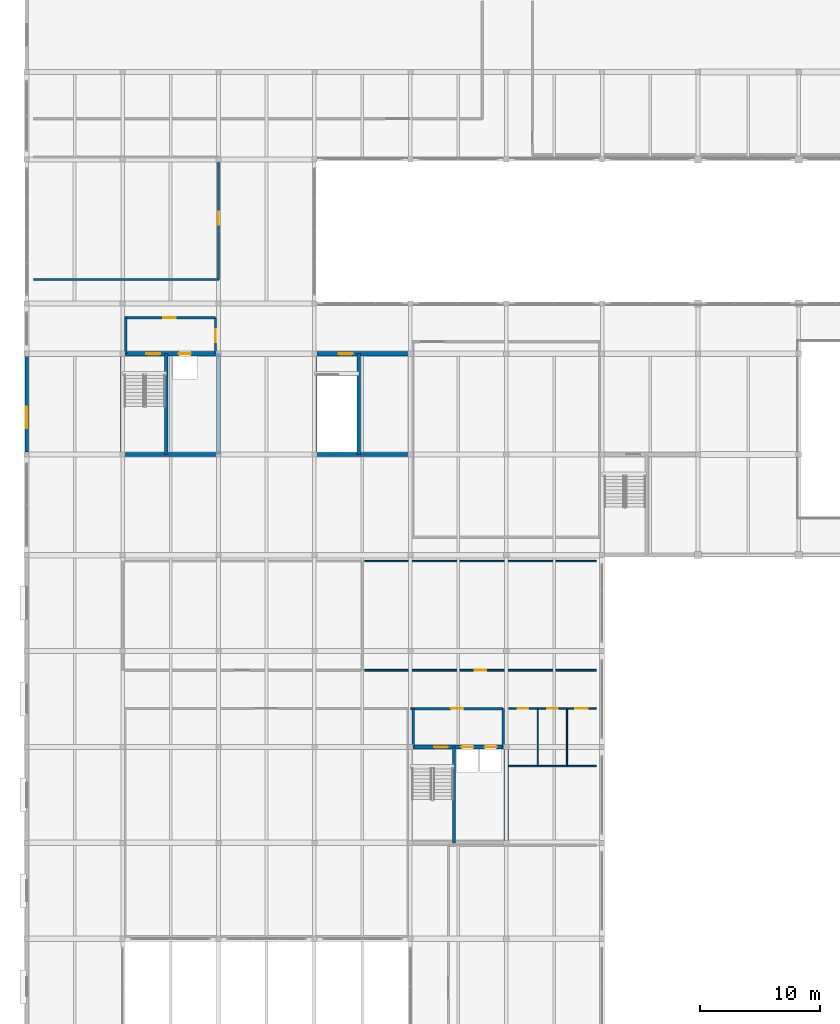
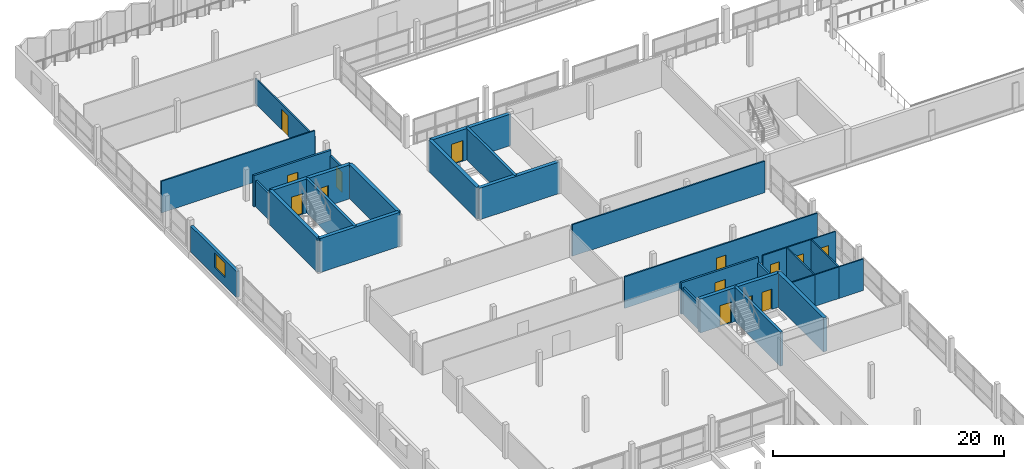
# One storey, part 36 of 51: 31 walls, 14 doors, 1 window, 15 openings.
"""IFC4 building model written with IfcOpenShell, lengths in metres."""

from ifc_helpers import new_model, si_unit, direction, frame, frame_2d, origin, place, context, subcontext, project, spatial, rectangle, extrude, material, layer, layer_set, type_object, element, fill, save


model = new_model("IFC4")

# Units and contexts
model_context = context("Model", 3, precision=1e-05, world=origin(), true_north=direction((0.0, 1.0)))
body_context = subcontext(model_context, "Body", "Model", "MODEL_VIEW")
ifc_project = project(units=[si_unit("LENGTHUNIT", "METRE"), si_unit("AREAUNIT", "SQUARE_METRE"), si_unit("VOLUMEUNIT", "CUBIC_METRE"), si_unit("PLANEANGLEUNIT", "RADIAN"), si_unit("MASSUNIT", "GRAM", prefix="KILO")], contexts=[model_context])

# Site, building, storey
site_placement = place(None, origin())
site = spatial("IfcSite", under=ifc_project, at=site_placement, CompositionType="ELEMENT")
building_placement = place(site_placement, origin())
building = spatial("IfcBuilding", under=site, at=building_placement, Name="Vharandega Faculty of Natural Sciences", CompositionType="ELEMENT")
storey_placement = place(building_placement, frame((0.0, 0.0, 14.39990234375)))
storey = spatial("IfcBuildingStorey", under=building, at=storey_placement, Name="L03", CompositionType="ELEMENT", Elevation=14.39990234375)

# Wall
ifc_material_1 = material(Name="Concrete C40/50", Category="concrete")
ifc_layer_1 = layer(ifc_material_1, 0.35009765625, Name="Concrete C40/50")
ifc_layer_set_1 = layer_set([ifc_layer_1], Name="Concrete C40/50")
wall_type_1 = type_object("IfcWallType", Name="Core Shear Wall 350", PredefinedType="SHEAR", material=ifc_layer_set_1)
wall_1_placement = place(storey_placement, frame((40.0, 40.0, 0.0), z_axis=(0.0, 0.0, 1.0), x_axis=(0.0, 1.0, 0.0)))
element("IfcWall", 1, at=wall_1_placement, inside=storey, type_object=wall_type_1, Name="Interior Wall CW-C3-L03-E", PredefinedType="SHEAR", context=body_context, shape_type="SweptSolid", body=[
    extrude(rectangle(XDim=8.0, YDim=0.35009765625, at=frame_2d((4.0, 0.0))), origin(), (0.0, 0.0, 1.0), 3.60009765625),
])

# Wall, openings, doors
wall_2_placement = place(storey_placement, frame((32.0, 48.0, 0.0), z_axis=(0.0, 0.0, 1.0), x_axis=(1.0, 0.0, 0.0)))
wall_2 = element("IfcWall", 2, at=wall_2_placement, inside=storey, type_object=wall_type_1, Name="Interior Wall CW-C3-L03-N", PredefinedType="SHEAR", context=body_context, shape_type="SweptSolid", body=[
    extrude(rectangle(XDim=8.0, YDim=0.35009765625, at=frame_2d((4.0, 0.0))), origin(), (0.0, 0.0, 1.0), 3.60009765625),
])
opening_1_placement = place(wall_2_placement, frame((1.97998046875, 0.0, 0.0)))
opening_1 = element("IfcOpeningElement", 3, at=opening_1_placement, cuts=wall_2, Name="Opening FD1", PredefinedType="OPENING", context=body_context, shape_type="SweptSolid", body=[
    extrude(rectangle(XDim=1.14990234375, YDim=2.199951171875, at=frame_2d((0.574951171875, 1.10009765625))), frame((0.0, 0.18505859375, 0.0), z_axis=(0.0, -1.0, 0.0), x_axis=(1.0, 0.0, 0.0)), (0.0, 0.0, 1.0), 0.3701171875),
])
opening_2_placement = place(wall_2_placement, frame((4.25, 0.0, 0.0)))
opening_2 = element("IfcOpeningElement", 4, at=opening_2_placement, cuts=wall_2, Name="Opening LD-LP3-L03", PredefinedType="OPENING", context=body_context, shape_type="SweptSolid", body=[
    extrude(rectangle(XDim=1.0, YDim=2.14990234375, at=frame_2d((0.5, 1.074951171875))), frame((0.0, 0.18505859375, 0.0), z_axis=(0.0, -1.0, 0.0), x_axis=(1.0, 0.0, 0.0)), (0.0, 0.0, 1.0), 0.3701171875),
])
opening_3_placement = place(wall_2_placement, frame((6.199951171875, 0.0, 0.0)))
opening_3 = element("IfcOpeningElement", 5, at=opening_3_placement, cuts=wall_2, Name="Opening LD-LP4-L03", PredefinedType="OPENING", context=body_context, shape_type="SweptSolid", body=[
    extrude(rectangle(XDim=1.0, YDim=2.14990234375, at=frame_2d((0.5, 1.074951171875))), frame((0.0, 0.18505859375, 0.0), z_axis=(0.0, -1.0, 0.0), x_axis=(1.0, 0.0, 0.0)), (0.0, 0.0, 1.0), 0.3701171875),
])
ifc_material_2 = material(Name="Solid-core hardwood timber fire door", Category="wood")
door_type_1 = type_object("IfcDoorType", Name="FD1-STAIR-1150x2200", OperationType="NOTDEFINED", PredefinedType="DOOR", material=ifc_material_2)
door_1_placement = place(opening_1_placement, origin())
door_1 = element("IfcDoor", 6, at=door_1_placement, inside=storey, type_object=door_type_1, Name="Stair ST3 Fire Door FD1", OperationType="SINGLE_SWING_LEFT", OverallHeight=2.199951171875, OverallWidth=1.14990234375, PredefinedType="DOOR", context=body_context, shape_type="SweptSolid", body=[
    extrude(rectangle(XDim=1.14990234375, YDim=2.199951171875, at=frame_2d((0.574951171875, 1.10009765625))), frame((0.0, 0.02490234375, 0.0), z_axis=(0.0, -1.0, 0.0), x_axis=(1.0, 0.0, 0.0)), (0.0, 0.0, 1.0), 0.050048828125),
])
fill(opening_1, door_1)
ifc_material_3 = material(Name="Brushed stainless steel sliding landing door", Category="steel")
door_type_2 = type_object("IfcDoorType", Name="LD2-PAXLIFT-SLIDING-1000x2150", OperationType="DOUBLE_DOOR_SLIDING", PredefinedType="DOOR", material=ifc_material_3)
door_2_placement = place(opening_2_placement, origin())
door_2 = element("IfcDoor", 7, at=door_2_placement, inside=storey, type_object=door_type_2, Name="Lift Landing Door LD-LP3-L03", OperationType="DOUBLE_DOOR_SLIDING", OverallHeight=2.14990234375, OverallWidth=1.0, PredefinedType="DOOR", context=body_context, shape_type="SweptSolid", body=[
    extrude(rectangle(XDim=1.0, YDim=2.14990234375, at=frame_2d((0.5, 1.074951171875))), frame((0.0, 0.02490234375, 0.0), z_axis=(0.0, -1.0, 0.0), x_axis=(1.0, 0.0, 0.0)), (0.0, 0.0, 1.0), 0.050048828125),
])
fill(opening_2, door_2)
door_3_placement = place(opening_3_placement, origin())
door_3 = element("IfcDoor", 8, at=door_3_placement, inside=storey, type_object=door_type_2, Name="Lift Landing Door LD-LP4-L03", OperationType="DOUBLE_DOOR_SLIDING", OverallHeight=2.14990234375, OverallWidth=1.0, PredefinedType="DOOR", context=body_context, shape_type="SweptSolid", body=[
    extrude(rectangle(XDim=1.0, YDim=2.14990234375, at=frame_2d((0.5, 1.074951171875))), frame((0.0, 0.02490234375, 0.0), z_axis=(0.0, -1.0, 0.0), x_axis=(1.0, 0.0, 0.0)), (0.0, 0.0, 1.0), 0.050048828125),
])
fill(opening_3, door_3)

# Walls
wall_3_placement = place(storey_placement, frame((8.0, 72.39990234375, 0.0), z_axis=(0.0, 0.0, 1.0), x_axis=(1.0, 0.0, 0.0)))
element("IfcWall", 9, at=wall_3_placement, inside=storey, type_object=wall_type_1, Name="Interior Wall CW-C4-L03-S", PredefinedType="SHEAR", context=body_context, shape_type="SweptSolid", body=[
    extrude(rectangle(XDim=8.0, YDim=0.35009765625, at=frame_2d((4.0, 0.0))), origin(), (0.0, 0.0, 1.0), 3.60009765625),
])
for number, where, z_axis, x_axis, name in (
    (10, (8.0, 72.39990234375, 0.0), (0.0, 0.0, 1.0), (0.0, 1.0, 0.0), "Interior Wall CW-C4-L03-W"),
    (11, (16.0, 72.39990234375, 0.0), (0.0, 0.0, 1.0), (0.0, 1.0, 0.0), "Interior Wall CW-C4-L03-E"),
):
    element("IfcWall", number, at=place(storey_placement, frame(where, z_axis=z_axis, x_axis=x_axis)), inside=storey, type_object=wall_type_1, Name=name, PredefinedType="SHEAR", context=body_context, shape_type="SweptSolid", body=[
        extrude(rectangle(XDim=8.400146484375, YDim=0.35009765625, at=frame_2d((4.2001953125, 0.0))), origin(), (0.0, 0.0, 1.0), 3.60009765625),
    ])

# Wall, openings, doors
wall_4_placement = place(storey_placement, frame((8.0, 80.800048828125, 0.0), z_axis=(0.0, 0.0, 1.0), x_axis=(1.0, 0.0, 0.0)))
wall_4 = element("IfcWall", 12, at=wall_4_placement, inside=storey, type_object=wall_type_1, Name="Interior Wall CW-C4-L03-N", PredefinedType="SHEAR", context=body_context, shape_type="SweptSolid", body=[
    extrude(rectangle(XDim=8.0, YDim=0.35009765625, at=frame_2d((4.0, 0.0))), origin(), (0.0, 0.0, 1.0), 3.60009765625),
])
opening_4_placement = place(wall_4_placement, frame((1.97998046875, 0.0, 0.0)))
opening_4 = element("IfcOpeningElement", 13, at=opening_4_placement, cuts=wall_4, Name="Opening FD1", PredefinedType="OPENING", context=body_context, shape_type="SweptSolid", body=[
    extrude(rectangle(XDim=1.14990234375, YDim=2.199951171875, at=frame_2d((0.574951171875, 1.10009765625))), frame((0.0, 0.18505859375, 0.0), z_axis=(0.0, -1.0, 0.0), x_axis=(1.0, 0.0, 0.0)), (0.0, 0.0, 1.0), 0.3701171875),
])
opening_5_placement = place(wall_4_placement, frame((4.699951171875, 0.0, 0.0)))
opening_5 = element("IfcOpeningElement", 14, at=opening_5_placement, cuts=wall_4, Name="Opening LD-LP2-L03", PredefinedType="OPENING", context=body_context, shape_type="SweptSolid", body=[
    extrude(rectangle(XDim=1.0, YDim=2.14990234375, at=frame_2d((0.5, 1.074951171875))), frame((0.0, 0.18505859375, 0.0), z_axis=(0.0, -1.0, 0.0), x_axis=(1.0, 0.0, 0.0)), (0.0, 0.0, 1.0), 0.3701171875),
])
door_4_placement = place(opening_4_placement, origin())
door_4 = element("IfcDoor", 15, at=door_4_placement, inside=storey, type_object=door_type_1, Name="Stair ST4 Fire Door FD1", OperationType="SINGLE_SWING_LEFT", OverallHeight=2.199951171875, OverallWidth=1.14990234375, PredefinedType="DOOR", context=body_context, shape_type="SweptSolid", body=[
    extrude(rectangle(XDim=1.14990234375, YDim=2.199951171875, at=frame_2d((0.574951171875, 1.10009765625))), frame((0.0, 0.02490234375, 0.0), z_axis=(0.0, -1.0, 0.0), x_axis=(1.0, 0.0, 0.0)), (0.0, 0.0, 1.0), 0.050048828125),
])
fill(opening_4, door_4)
door_5_placement = place(opening_5_placement, origin())
door_5 = element("IfcDoor", 16, at=door_5_placement, inside=storey, type_object=door_type_2, Name="Lift Landing Door LD-LP2-L03", OperationType="DOUBLE_DOOR_SLIDING", OverallHeight=2.14990234375, OverallWidth=1.0, PredefinedType="DOOR", context=body_context, shape_type="SweptSolid", body=[
    extrude(rectangle(XDim=1.0, YDim=2.14990234375, at=frame_2d((0.5, 1.074951171875))), frame((0.0, 0.02490234375, 0.0), z_axis=(0.0, -1.0, 0.0), x_axis=(1.0, 0.0, 0.0)), (0.0, 0.0, 1.0), 0.050048828125),
])
fill(opening_5, door_5)

# Walls
wall_5_placement = place(storey_placement, frame((24.0, 72.39990234375, 0.0), z_axis=(0.0, 0.0, 1.0), x_axis=(1.0, 0.0, 0.0)))
element("IfcWall", 17, at=wall_5_placement, inside=storey, type_object=wall_type_1, Name="Interior Wall CW-C6-L03-S", PredefinedType="SHEAR", context=body_context, shape_type="SweptSolid", body=[
    extrude(rectangle(XDim=8.0, YDim=0.35009765625, at=frame_2d((4.0, 0.0))), origin(), (0.0, 0.0, 1.0), 3.340087890625),
])
wall_6_placement = place(storey_placement, frame((24.0, 72.39990234375, 0.0), z_axis=(0.0, 0.0, 1.0), x_axis=(0.0, 1.0, 0.0)))
element("IfcWall", 18, at=wall_6_placement, inside=storey, type_object=wall_type_1, Name="Interior Wall CW-C6-L03-W", PredefinedType="SHEAR", context=body_context, shape_type="SweptSolid", body=[
    extrude(rectangle(XDim=8.400146484375, YDim=0.35009765625, at=frame_2d((4.2001953125, 0.0))), origin(), (0.0, 0.0, 1.0), 3.340087890625),
])

# Wall, opening, door
wall_7_placement = place(storey_placement, frame((24.0, 80.800048828125, 0.0), z_axis=(0.0, 0.0, 1.0), x_axis=(1.0, 0.0, 0.0)))
wall_7 = element("IfcWall", 19, at=wall_7_placement, inside=storey, type_object=wall_type_1, Name="Interior Wall CW-C6-L03-N", PredefinedType="SHEAR", context=body_context, shape_type="SweptSolid", body=[
    extrude(rectangle(XDim=8.0, YDim=0.35009765625, at=frame_2d((4.0, 0.0))), origin(), (0.0, 0.0, 1.0), 3.340087890625),
])
opening_6_placement = place(wall_7_placement, frame((2.0400390625, 0.0, 0.0)))
opening_6 = element("IfcOpeningElement", 20, at=opening_6_placement, cuts=wall_7, Name="Opening FD1", PredefinedType="OPENING", context=body_context, shape_type="SweptSolid", body=[
    extrude(rectangle(XDim=1.14990234375, YDim=2.199951171875, at=frame_2d((0.574951171875, 1.10009765625))), frame((0.0, 0.18505859375, 0.0), z_axis=(0.0, -1.0, 0.0), x_axis=(1.0, 0.0, 0.0)), (0.0, 0.0, 1.0), 0.3701171875),
])
door_6_placement = place(opening_6_placement, origin())
door_6 = element("IfcDoor", 21, at=door_6_placement, inside=storey, type_object=door_type_1, Name="Stair ST6 Fire Door FD1", OperationType="SINGLE_SWING_LEFT", OverallHeight=2.199951171875, OverallWidth=1.14990234375, PredefinedType="DOOR", context=body_context, shape_type="SweptSolid", body=[
    extrude(rectangle(XDim=1.14990234375, YDim=2.199951171875, at=frame_2d((0.574951171875, 1.10009765625))), frame((0.0, 0.02490234375, 0.0), z_axis=(0.0, -1.0, 0.0), x_axis=(1.0, 0.0, 0.0)), (0.0, 0.0, 1.0), 0.050048828125),
])
fill(opening_6, door_6)

ifc_material_4 = material(Name="Concrete C40/50", Category="concrete")
ifc_layer_2 = layer(ifc_material_4, 0.199951171875, Name="Concrete C40/50")
ifc_layer_set_2 = layer_set([ifc_layer_2], Name="Concrete C40/50")
wall_type_2 = type_object("IfcWallType", Name="Firefighting Lobby Wall 200", PredefinedType="PARTITIONING", material=ifc_layer_set_2)
wall_8_placement = place(storey_placement, frame((32.0, 51.199951171875, 0.0), z_axis=(0.0, 0.0, 1.0), x_axis=(1.0, 0.0, 0.0)))
wall_8 = element("IfcWall", 22, at=wall_8_placement, inside=storey, type_object=wall_type_2, Name="Interior Wall PW-LL-C3-L03-N", PredefinedType="PARTITIONING", context=body_context, shape_type="SweptSolid", body=[
    extrude(rectangle(XDim=7.75, YDim=0.199951171875, at=frame_2d((3.875, 0.0))), origin(), (0.0, 0.0, 1.0), 3.320068359375),
])
opening_7_placement = place(wall_8_placement, frame((3.375, 0.0, 0.0)))
opening_7 = element("IfcOpeningElement", 23, at=opening_7_placement, cuts=wall_8, Name="Opening FD4", PredefinedType="OPENING", context=body_context, shape_type="SweptSolid", body=[
    extrude(rectangle(XDim=1.050048828125, YDim=2.14990234375, at=frame_2d((0.52490234375, 1.074951171875))), frame((0.0, 0.10986328125, 0.0), z_axis=(0.0, -1.0, 0.0), x_axis=(1.0, 0.0, 0.0)), (0.0, 0.0, 1.0), 0.219970703125),
])
ifc_material_5 = material(Name="Solid-core hardwood timber fire door", Category="wood")
door_type_3 = type_object("IfcDoorType", Name="FD4-LAB-SGL-1050x2150", OperationType="NOTDEFINED", PredefinedType="DOOR", material=ifc_material_5)
door_7_placement = place(opening_7_placement, origin())
door_7 = element("IfcDoor", 24, at=door_7_placement, inside=storey, type_object=door_type_3, Name="Lift Lobby C3 Door FD4", OperationType="SINGLE_SWING_RIGHT", OverallHeight=2.14990234375, OverallWidth=1.050048828125, PredefinedType="DOOR", context=body_context, shape_type="SweptSolid", body=[
    extrude(rectangle(XDim=1.050048828125, YDim=2.14990234375, at=frame_2d((0.52490234375, 1.074951171875))), frame((0.0, 0.02490234375, 0.0), z_axis=(0.0, -1.0, 0.0), x_axis=(1.0, 0.0, 0.0)), (0.0, 0.0, 1.0), 0.050048828125),
])
fill(opening_7, door_7)

# Walls
for number, where, z_axis, x_axis, name in (
    (25, (39.75, 48.0, 0.0), (0.0, 0.0, 1.0), (0.0, 1.0, 0.0), "Interior Wall PW-LL-C3-L03-E"),
    (26, (32.25, 48.0, 0.0), (0.0, 0.0, 1.0), (0.0, 1.0, 0.0), "Interior Wall PW-LL-C3-L03-W"),
):
    element("IfcWall", number, at=place(storey_placement, frame(where, z_axis=z_axis, x_axis=x_axis)), inside=storey, type_object=wall_type_2, Name=name, PredefinedType="PARTITIONING", context=body_context, shape_type="SweptSolid", body=[
        extrude(rectangle(XDim=3.199951171875, YDim=0.199951171875, at=frame_2d((1.60009765625, 0.0))), origin(), (0.0, 0.0, 1.0), 2.780029296875),
    ])

# Wall, opening, door
wall_9_placement = place(storey_placement, frame((8.0, 83.800048828125, 0.0), z_axis=(0.0, 0.0, 1.0), x_axis=(1.0, 0.0, 0.0)))
wall_9 = element("IfcWall", 27, at=wall_9_placement, inside=storey, type_object=wall_type_2, Name="Interior Wall PW-LL-C4-L03-N", PredefinedType="PARTITIONING", context=body_context, shape_type="SweptSolid", body=[
    extrude(rectangle(XDim=7.75, YDim=0.199951171875, at=frame_2d((3.875, 0.0))), origin(), (0.0, 0.0, 1.0), 3.320068359375),
])
opening_8_placement = place(wall_9_placement, frame((3.375, 0.0, 0.0)))
opening_8 = element("IfcOpeningElement", 28, at=opening_8_placement, cuts=wall_9, Name="Opening FD4", PredefinedType="OPENING", context=body_context, shape_type="SweptSolid", body=[
    extrude(rectangle(XDim=1.050048828125, YDim=2.14990234375, at=frame_2d((0.52490234375, 1.074951171875))), frame((0.0, 0.10986328125, 0.0), z_axis=(0.0, -1.0, 0.0), x_axis=(1.0, 0.0, 0.0)), (0.0, 0.0, 1.0), 0.219970703125),
])
door_8_placement = place(opening_8_placement, origin())
door_8 = element("IfcDoor", 29, at=door_8_placement, inside=storey, type_object=door_type_3, Name="Lift Lobby C4 Door FD4", OperationType="SINGLE_SWING_RIGHT", OverallHeight=2.14990234375, OverallWidth=1.050048828125, PredefinedType="DOOR", context=body_context, shape_type="SweptSolid", body=[
    extrude(rectangle(XDim=1.050048828125, YDim=2.14990234375, at=frame_2d((0.52490234375, 1.074951171875))), frame((0.0, 0.02490234375, 0.0), z_axis=(0.0, -1.0, 0.0), x_axis=(1.0, 0.0, 0.0)), (0.0, 0.0, 1.0), 0.050048828125),
])
fill(opening_8, door_8)

wall_10_placement = place(storey_placement, frame((15.75, 80.800048828125, 0.0), z_axis=(0.0, 0.0, 1.0), x_axis=(0.0, 1.0, 0.0)))
wall_10 = element("IfcWall", 30, at=wall_10_placement, inside=storey, type_object=wall_type_2, Name="Interior Wall PW-LL-C4-L03-E", PredefinedType="PARTITIONING", context=body_context, shape_type="SweptSolid", body=[
    extrude(rectangle(XDim=3.0, YDim=0.199951171875, at=frame_2d((1.5, 0.0))), origin(), (0.0, 0.0, 1.0), 2.739990234375),
])
opening_9_placement = place(wall_10_placement, frame((0.97509765625, 0.0, 0.0)))
opening_9 = element("IfcOpeningElement", 31, at=opening_9_placement, cuts=wall_10, Name="Opening FD4", PredefinedType="OPENING", context=body_context, shape_type="SweptSolid", body=[
    extrude(rectangle(XDim=1.050048828125, YDim=2.14990234375, at=frame_2d((0.52490234375, 1.074951171875))), frame((0.0, 0.10986328125, 0.0), z_axis=(0.0, -1.0, 0.0), x_axis=(1.0, 0.0, 0.0)), (0.0, 0.0, 1.0), 0.219970703125),
])
door_9_placement = place(opening_9_placement, origin())
door_9 = element("IfcDoor", 32, at=door_9_placement, inside=storey, type_object=door_type_3, Name="Lift Lobby C4 East Door FD4", OperationType="SINGLE_SWING_LEFT", OverallHeight=2.14990234375, OverallWidth=1.050048828125, PredefinedType="DOOR", context=body_context, shape_type="SweptSolid", body=[
    extrude(rectangle(XDim=1.050048828125, YDim=2.14990234375, at=frame_2d((0.52490234375, 1.074951171875))), frame((0.0, 0.02490234375, 0.0), z_axis=(0.0, -1.0, 0.0), x_axis=(1.0, 0.0, 0.0)), (0.0, 0.0, 1.0), 0.050048828125),
])
fill(opening_9, door_9)

# Walls
wall_11_placement = place(storey_placement, frame((8.25, 80.800048828125, 0.0), z_axis=(0.0, 0.0, 1.0), x_axis=(0.0, 1.0, 0.0)))
element("IfcWall", 33, at=wall_11_placement, inside=storey, type_object=wall_type_2, Name="Interior Wall PW-LL-C4-L03-W", PredefinedType="PARTITIONING", context=body_context, shape_type="SweptSolid", body=[
    extrude(rectangle(XDim=3.0, YDim=0.199951171875, at=frame_2d((1.5, 0.0))), origin(), (0.0, 0.0, 1.0), 2.739990234375),
])
ifc_material_6 = material(Name="Concrete C40/50", Category="concrete")
ifc_layer_3 = layer(ifc_material_6, 0.260009765625, Name="Concrete C40/50")
ifc_layer_set_3 = layer_set([ifc_layer_3], Name="Concrete C40/50")
wall_type_3 = type_object("IfcWallType", Name="Lift Shaft Shear Wall 260", PredefinedType="SHEAR", material=ifc_layer_set_3)
wall_12_placement = place(storey_placement, frame((35.639892578125, 40.0, 0.0), z_axis=(0.0, 0.0, 1.0), x_axis=(0.0, 1.0, 0.0)))
element("IfcWall", 34, at=wall_12_placement, inside=storey, type_object=wall_type_3, Name="Interior Wall CW-C3-L03-DIV", PredefinedType="SHEAR", context=body_context, shape_type="SweptSolid", body=[
    extrude(rectangle(XDim=8.0, YDim=0.260009765625, at=frame_2d((4.0, 0.0))), origin(), (0.0, 0.0, 1.0), 3.60009765625),
])
wall_13_placement = place(storey_placement, frame((11.639892578125, 72.39990234375, 0.0), z_axis=(0.0, 0.0, 1.0), x_axis=(0.0, 1.0, 0.0)))
element("IfcWall", 35, at=wall_13_placement, inside=storey, type_object=wall_type_3, Name="Interior Wall CW-C4-L03-DIV", PredefinedType="SHEAR", context=body_context, shape_type="SweptSolid", body=[
    extrude(rectangle(XDim=8.400146484375, YDim=0.260009765625, at=frame_2d((4.2001953125, 0.0))), origin(), (0.0, 0.0, 1.0), 3.60009765625),
])
wall_14_placement = place(storey_placement, frame((27.699951171875, 72.39990234375, 0.0), z_axis=(0.0, 0.0, 1.0), x_axis=(0.0, 1.0, 0.0)))
element("IfcWall", 36, at=wall_14_placement, inside=storey, type_object=wall_type_3, Name="Interior Wall CW-C6-L03-DIV", PredefinedType="SHEAR", context=body_context, shape_type="SweptSolid", body=[
    extrude(rectangle(XDim=8.400146484375, YDim=0.260009765625, at=frame_2d((4.2001953125, 0.0))), origin(), (0.0, 0.0, 1.0), 3.340087890625),
])

# Wall, opening, window
ifc_material_7 = material(Name="Precast concrete C40/50", Category="concrete")
ifc_layer_4 = layer(ifc_material_7, 0.300048828125, Name="Precast concrete C40/50")
ifc_layer_set_4 = layer_set([ifc_layer_4], Name="Precast concrete C40/50")
wall_type_4 = type_object("IfcWallType", Name="Polychrome Precast Facade Wall 300", PredefinedType="SOLIDWALL", material=ifc_layer_set_4)
wall_15_placement = place(storey_placement, frame((0.0, 72.60791015625, 0.0), z_axis=(0.0, 0.0, 1.0), x_axis=(0.0, 1.0, 0.0)))
wall_15 = element("IfcWall", 37, at=wall_15_placement, inside=storey, type_object=wall_type_4, Name="Exterior Wall EW-V2W-L03-2", PredefinedType="SOLIDWALL", context=body_context, shape_type="SweptSolid", body=[
    extrude(rectangle(XDim=7.984130859375, YDim=0.300048828125, at=frame_2d((3.9921875, 0.0))), origin(), (0.0, 0.0, 1.0), 2.739990234375),
])
opening_10_placement = place(wall_15_placement, frame((1.971923828125, 0.0, 0.89990234375)))
opening_10 = element("IfcOpeningElement", 38, at=opening_10_placement, cuts=wall_15, Name="Opening WN-20", PredefinedType="OPENING", context=body_context, shape_type="SweptSolid", body=[
    extrude(rectangle(XDim=1.800048828125, YDim=1.550048828125, at=frame_2d((0.89990234375, 0.77490234375))), frame((0.0, 0.16015625, 0.0), z_axis=(0.0, -1.0, 0.0), x_axis=(1.0, 0.0, 0.0)), (0.0, 0.0, 1.0), 0.320068359375),
])
ifc_material_8 = material(Name="Double-glazed solar-control glass in thermally broken aluminium frame", Category="aluminium")
window_type = type_object("IfcWindowType", Name="WIN-SEM-180x155", PartitioningType="DOUBLE_PANEL_VERTICAL", PredefinedType="WINDOW", material=ifc_material_8)
window_placement = place(opening_10_placement, origin())
window = element("IfcWindow", 39, at=window_placement, inside=storey, type_object=window_type, Name="Window WIN-L03-0196", OverallHeight=1.550048828125, OverallWidth=1.800048828125, PartitioningType="SINGLE_PANEL", PredefinedType="WINDOW", context=body_context, shape_type="SweptSolid", body=[
    extrude(rectangle(XDim=1.800048828125, YDim=1.550048828125, at=frame_2d((0.89990234375, 0.77490234375))), frame((0.0, 0.030029296875, 0.0), z_axis=(0.0, -1.0, 0.0), x_axis=(1.0, 0.0, 0.0)), (0.0, 0.0, 1.0), 0.06005859375),
])
fill(opening_10, window)

# Wall, opening, door
ifc_material_9 = material(Name="Gypsum acoustic partition", Category="gypsum")
ifc_layer_5 = layer(ifc_material_9, 0.139892578125, Name="Gypsum acoustic partition")
ifc_layer_set_5 = layer_set([ifc_layer_5], Name="Gypsum acoustic partition")
wall_type_5 = type_object("IfcWallType", Name="Room Partition Wall 140", PredefinedType="PARTITIONING", material=ifc_layer_set_5)
wall_16_placement = place(storey_placement, frame((28.199951171875, 54.39990234375, 0.0), z_axis=(0.0, 0.0, 1.0), x_axis=(1.0, 0.0, 0.0)))
wall_16 = element("IfcWall", 40, at=wall_16_placement, inside=storey, type_object=wall_type_5, Name="Interior Wall PW-L03-R06S", PredefinedType="PARTITIONING", context=body_context, shape_type="SweptSolid", body=[
    extrude(rectangle(XDim=19.300048828125, YDim=0.139892578125, at=frame_2d((9.64990234375, 0.0))), origin(), (0.0, 0.0, 1.0), 3.340087890625),
])
opening_11_placement = place(wall_16_placement, frame((9.175048828125, 0.0, 0.0)))
opening_11 = element("IfcOpeningElement", 41, at=opening_11_placement, cuts=wall_16, Name="Opening D0286", PredefinedType="OPENING", context=body_context, shape_type="SweptSolid", body=[
    extrude(rectangle(XDim=0.949951171875, YDim=2.10009765625, at=frame_2d((0.47509765625, 1.050048828125))), frame((0.0, 0.080078125, 0.0), z_axis=(0.0, -1.0, 0.0), x_axis=(1.0, 0.0, 0.0)), (0.0, 0.0, 1.0), 0.159912109375),
])
ifc_material_10 = material(Name="Solid-core hardwood timber fire door", Category="wood")
door_type_4 = type_object("IfcDoorType", Name="ID04-OFFICE-0950x2100", OperationType="NOTDEFINED", PredefinedType="DOOR", material=ifc_material_10)
door_10_placement = place(opening_11_placement, origin())
door_10 = element("IfcDoor", 42, at=door_10_placement, inside=storey, type_object=door_type_4, Name="Academic Staff Office Suite 3A Door D0286", OperationType="SINGLE_SWING_RIGHT", OverallHeight=2.10009765625, OverallWidth=0.949951171875, PredefinedType="DOOR", context=body_context, shape_type="SweptSolid", body=[
    extrude(rectangle(XDim=0.949951171875, YDim=2.10009765625, at=frame_2d((0.47509765625, 1.050048828125))), frame((0.0, 0.02490234375, 0.0), z_axis=(0.0, -1.0, 0.0), x_axis=(1.0, 0.0, 0.0)), (0.0, 0.0, 1.0), 0.050048828125),
])
fill(opening_11, door_10)

# Walls
wall_17_placement = place(storey_placement, frame((28.199951171875, 63.5, 0.0), z_axis=(0.0, 0.0, 1.0), x_axis=(1.0, 0.0, 0.0)))
element("IfcWall", 43, at=wall_17_placement, inside=storey, type_object=wall_type_5, Name="Interior Wall PW-L03-R06N", PredefinedType="PARTITIONING", context=body_context, shape_type="SweptSolid", body=[
    extrude(rectangle(XDim=19.300048828125, YDim=0.139892578125, at=frame_2d((9.64990234375, 0.0))), origin(), (0.0, 0.0, 1.0), 3.340087890625),
])
wall_18_placement = place(storey_placement, frame((0.60009765625, 87.0, 0.0), z_axis=(0.0, 0.0, 1.0), x_axis=(1.0, 0.0, 0.0)))
element("IfcWall", 44, at=wall_18_placement, inside=storey, type_object=wall_type_5, Name="Interior Wall PW-L03-R12S", PredefinedType="PARTITIONING", context=body_context, shape_type="SweptSolid", body=[
    extrude(rectangle(XDim=15.39990234375, YDim=0.139892578125, at=frame_2d((7.699951171875, 0.0))), origin(), (0.0, 0.0, 1.0), 3.340087890625),
])

# Wall, opening, door
wall_19_placement = place(storey_placement, frame((16.0, 87.0, 0.0), z_axis=(0.0, 0.0, 1.0), x_axis=(0.0, 1.0, 0.0)))
wall_19 = element("IfcWall", 45, at=wall_19_placement, inside=storey, type_object=wall_type_5, Name="Interior Wall PW-L03-R12E", PredefinedType="PARTITIONING", context=body_context, shape_type="SweptSolid", body=[
    extrude(rectangle(XDim=10.199951171875, YDim=0.139892578125, at=frame_2d((5.10009765625, 0.0))), origin(), (0.0, 0.0, 1.0), 2.690185546875),
])
opening_12_placement = place(wall_19_placement, frame((4.5400390625, 0.0, 0.0)))
opening_12 = element("IfcOpeningElement", 46, at=opening_12_placement, cuts=wall_19, Name="Opening D0292", PredefinedType="OPENING", context=body_context, shape_type="SweptSolid", body=[
    extrude(rectangle(XDim=1.1201171875, YDim=2.14990234375, at=frame_2d((0.56005859375, 1.074951171875))), frame((0.0, 0.080078125, 0.0), z_axis=(0.0, -1.0, 0.0), x_axis=(1.0, 0.0, 0.0)), (0.0, 0.0, 1.0), 0.159912109375),
])
ifc_material_11 = material(Name="Solid-core hardwood timber fire door", Category="wood")
door_type_5 = type_object("IfcDoorType", Name="ID12-STUDIO-1120x2150", OperationType="NOTDEFINED", PredefinedType="DOOR", material=ifc_material_11)
door_11_placement = place(opening_12_placement, origin())
door_11 = element("IfcDoor", 47, at=door_11_placement, inside=storey, type_object=door_type_5, Name="Academic Writing Studio Door D0292", OperationType="SINGLE_SWING_LEFT", OverallHeight=2.14990234375, OverallWidth=1.1201171875, PredefinedType="DOOR", context=body_context, shape_type="SweptSolid", body=[
    extrude(rectangle(XDim=1.1201171875, YDim=2.14990234375, at=frame_2d((0.56005859375, 1.074951171875))), frame((0.0, 0.02490234375, 0.0), z_axis=(0.0, -1.0, 0.0), x_axis=(1.0, 0.0, 0.0)), (0.0, 0.0, 1.0), 0.050048828125),
])
fill(opening_12, door_11)

# Wall
ifc_material_12 = material(Name="Moisture-resistant gypsum partition", Category="gypsum")
ifc_layer_6 = layer(ifc_material_12, 0.1201171875, Name="Moisture-resistant gypsum partition")
ifc_layer_set_6 = layer_set([ifc_layer_6], Name="Moisture-resistant gypsum partition")
wall_type_6 = type_object("IfcWallType", Name="Sanitary Wet Wall 120", PredefinedType="PARTITIONING", material=ifc_layer_set_6)
wall_20_placement = place(storey_placement, frame((40.199951171875, 46.39990234375, 0.0), z_axis=(0.0, 0.0, 1.0), x_axis=(1.0, 0.0, 0.0)))
element("IfcWall", 48, at=wall_20_placement, inside=storey, type_object=wall_type_6, Name="Interior Wall PW-L03-R07S", PredefinedType="PARTITIONING", context=body_context, shape_type="SweptSolid", body=[
    extrude(rectangle(XDim=2.429931640625, YDim=0.1201171875, at=frame_2d((1.21484375, 0.0))), origin(), (0.0, 0.0, 1.0), 3.340087890625),
])

# Wall, opening, door
wall_21_placement = place(storey_placement, frame((40.199951171875, 51.199951171875, 0.0), z_axis=(0.0, 0.0, 1.0), x_axis=(1.0, 0.0, 0.0)))
wall_21 = element("IfcWall", 49, at=wall_21_placement, inside=storey, type_object=wall_type_6, Name="Interior Wall PW-L03-R07N", PredefinedType="PARTITIONING", context=body_context, shape_type="SweptSolid", body=[
    extrude(rectangle(XDim=2.429931640625, YDim=0.1201171875, at=frame_2d((1.21484375, 0.0))), origin(), (0.0, 0.0, 1.0), 3.340087890625),
])
opening_13_placement = place(wall_21_placement, frame((0.77490234375, 0.0, 0.0)))
opening_13 = element("IfcOpeningElement", 50, at=opening_13_placement, cuts=wall_21, Name="Opening D0287", PredefinedType="OPENING", context=body_context, shape_type="SweptSolid", body=[
    extrude(rectangle(XDim=0.8798828125, YDim=2.10009765625, at=frame_2d((0.43994140625, 1.050048828125))), frame((0.0, 0.070068359375, 0.0), z_axis=(0.0, -1.0, 0.0), x_axis=(1.0, 0.0, 0.0)), (0.0, 0.0, 1.0), 0.14013671875),
])
ifc_material_13 = material(Name="Solid-core hardwood timber fire door", Category="wood")
door_type_6 = type_object("IfcDoorType", Name="ID06-WC-0880x2100", OperationType="NOTDEFINED", PredefinedType="DOOR", material=ifc_material_13)
door_12_placement = place(opening_13_placement, origin())
door_12 = element("IfcDoor", 51, at=door_12_placement, inside=storey, type_object=door_type_6, Name="L03 Male Washroom Door D0287", OperationType="SINGLE_SWING_LEFT", OverallHeight=2.10009765625, OverallWidth=0.8798828125, PredefinedType="DOOR", context=body_context, shape_type="SweptSolid", body=[
    extrude(rectangle(XDim=0.8798828125, YDim=2.10009765625, at=frame_2d((0.43994140625, 1.050048828125))), frame((0.0, 0.02490234375, 0.0), z_axis=(0.0, -1.0, 0.0), x_axis=(1.0, 0.0, 0.0)), (0.0, 0.0, 1.0), 0.050048828125),
])
fill(opening_13, door_12)

# Walls
wall_22_placement = place(storey_placement, frame((42.6298828125, 46.39990234375, 0.0), z_axis=(0.0, 0.0, 1.0), x_axis=(0.0, 1.0, 0.0)))
element("IfcWall", 52, at=wall_22_placement, inside=storey, type_object=wall_type_6, Name="Interior Wall PW-L03-R07E", PredefinedType="PARTITIONING", context=body_context, shape_type="SweptSolid", body=[
    extrude(rectangle(XDim=4.800048828125, YDim=0.1201171875, at=frame_2d((2.39990234375, 0.0))), origin(), (0.0, 0.0, 1.0), 3.340087890625),
])
wall_23_placement = place(storey_placement, frame((42.6298828125, 46.39990234375, 0.0), z_axis=(0.0, 0.0, 1.0), x_axis=(1.0, 0.0, 0.0)))
element("IfcWall", 53, at=wall_23_placement, inside=storey, type_object=wall_type_6, Name="Interior Wall PW-L03-R08S", PredefinedType="PARTITIONING", context=body_context, shape_type="SweptSolid", body=[
    extrude(rectangle(XDim=2.440185546875, YDim=0.1201171875, at=frame_2d((1.22021484375, 0.0))), origin(), (0.0, 0.0, 1.0), 3.340087890625),
])

# Wall, opening, door
wall_24_placement = place(storey_placement, frame((42.6298828125, 51.199951171875, 0.0), z_axis=(0.0, 0.0, 1.0), x_axis=(1.0, 0.0, 0.0)))
wall_24 = element("IfcWall", 54, at=wall_24_placement, inside=storey, type_object=wall_type_6, Name="Interior Wall PW-L03-R08N", PredefinedType="PARTITIONING", context=body_context, shape_type="SweptSolid", body=[
    extrude(rectangle(XDim=2.440185546875, YDim=0.1201171875, at=frame_2d((1.22021484375, 0.0))), origin(), (0.0, 0.0, 1.0), 3.340087890625),
])
opening_14_placement = place(wall_24_placement, frame((0.780029296875, 0.0, 0.0)))
opening_14 = element("IfcOpeningElement", 55, at=opening_14_placement, cuts=wall_24, Name="Opening D0288", PredefinedType="OPENING", context=body_context, shape_type="SweptSolid", body=[
    extrude(rectangle(XDim=0.8798828125, YDim=2.10009765625, at=frame_2d((0.43994140625, 1.050048828125))), frame((0.0, 0.070068359375, 0.0), z_axis=(0.0, -1.0, 0.0), x_axis=(1.0, 0.0, 0.0)), (0.0, 0.0, 1.0), 0.14013671875),
])
door_13_placement = place(opening_14_placement, origin())
door_13 = element("IfcDoor", 56, at=door_13_placement, inside=storey, type_object=door_type_6, Name="L03 Female Washroom Door D0288", OperationType="SINGLE_SWING_RIGHT", OverallHeight=2.10009765625, OverallWidth=0.8798828125, PredefinedType="DOOR", context=body_context, shape_type="SweptSolid", body=[
    extrude(rectangle(XDim=0.8798828125, YDim=2.10009765625, at=frame_2d((0.43994140625, 1.050048828125))), frame((0.0, 0.02490234375, 0.0), z_axis=(0.0, -1.0, 0.0), x_axis=(1.0, 0.0, 0.0)), (0.0, 0.0, 1.0), 0.050048828125),
])
fill(opening_14, door_13)

# Walls
wall_25_placement = place(storey_placement, frame((45.070068359375, 46.39990234375, 0.0), z_axis=(0.0, 0.0, 1.0), x_axis=(0.0, 1.0, 0.0)))
element("IfcWall", 57, at=wall_25_placement, inside=storey, type_object=wall_type_6, Name="Interior Wall PW-L03-R08E", PredefinedType="PARTITIONING", context=body_context, shape_type="SweptSolid", body=[
    extrude(rectangle(XDim=4.800048828125, YDim=0.1201171875, at=frame_2d((2.39990234375, 0.0))), origin(), (0.0, 0.0, 1.0), 3.340087890625),
])
wall_26_placement = place(storey_placement, frame((45.070068359375, 46.39990234375, 0.0), z_axis=(0.0, 0.0, 1.0), x_axis=(1.0, 0.0, 0.0)))
element("IfcWall", 58, at=wall_26_placement, inside=storey, type_object=wall_type_6, Name="Interior Wall PW-L03-R09S", PredefinedType="PARTITIONING", context=body_context, shape_type="SweptSolid", body=[
    extrude(rectangle(XDim=2.429931640625, YDim=0.1201171875, at=frame_2d((1.21484375, 0.0))), origin(), (0.0, 0.0, 1.0), 3.340087890625),
])

# Wall, opening, door
wall_27_placement = place(storey_placement, frame((45.070068359375, 51.199951171875, 0.0), z_axis=(0.0, 0.0, 1.0), x_axis=(1.0, 0.0, 0.0)))
wall_27 = element("IfcWall", 59, at=wall_27_placement, inside=storey, type_object=wall_type_6, Name="Interior Wall PW-L03-R09N", PredefinedType="PARTITIONING", context=body_context, shape_type="SweptSolid", body=[
    extrude(rectangle(XDim=2.429931640625, YDim=0.1201171875, at=frame_2d((1.21484375, 0.0))), origin(), (0.0, 0.0, 1.0), 3.340087890625),
])
opening_15_placement = place(wall_27_placement, frame((0.705078125, 0.0, 0.0)))
opening_15 = element("IfcOpeningElement", 60, at=opening_15_placement, cuts=wall_27, Name="Opening D0289", PredefinedType="OPENING", context=body_context, shape_type="SweptSolid", body=[
    extrude(rectangle(XDim=1.02001953125, YDim=2.10009765625, at=frame_2d((0.510009765625, 1.050048828125))), frame((0.0, 0.070068359375, 0.0), z_axis=(0.0, -1.0, 0.0), x_axis=(1.0, 0.0, 0.0)), (0.0, 0.0, 1.0), 0.14013671875),
])
ifc_material_14 = material(Name="Solid-core hardwood timber fire door", Category="wood")
door_type_7 = type_object("IfcDoorType", Name="ID07-ACCWC-1020x2100", OperationType="NOTDEFINED", PredefinedType="DOOR", material=ifc_material_14)
door_14_placement = place(opening_15_placement, origin())
door_14 = element("IfcDoor", 61, at=door_14_placement, inside=storey, type_object=door_type_7, Name="L03 Accessible WC Door D0289", OperationType="SINGLE_SWING_LEFT", OverallHeight=2.10009765625, OverallWidth=1.02001953125, PredefinedType="DOOR", context=body_context, shape_type="SweptSolid", body=[
    extrude(rectangle(XDim=1.02001953125, YDim=2.10009765625, at=frame_2d((0.510009765625, 1.050048828125))), frame((0.0, 0.02490234375, 0.0), z_axis=(0.0, -1.0, 0.0), x_axis=(1.0, 0.0, 0.0)), (0.0, 0.0, 1.0), 0.050048828125),
])
fill(opening_15, door_14)

save(model, "model.ifc")
